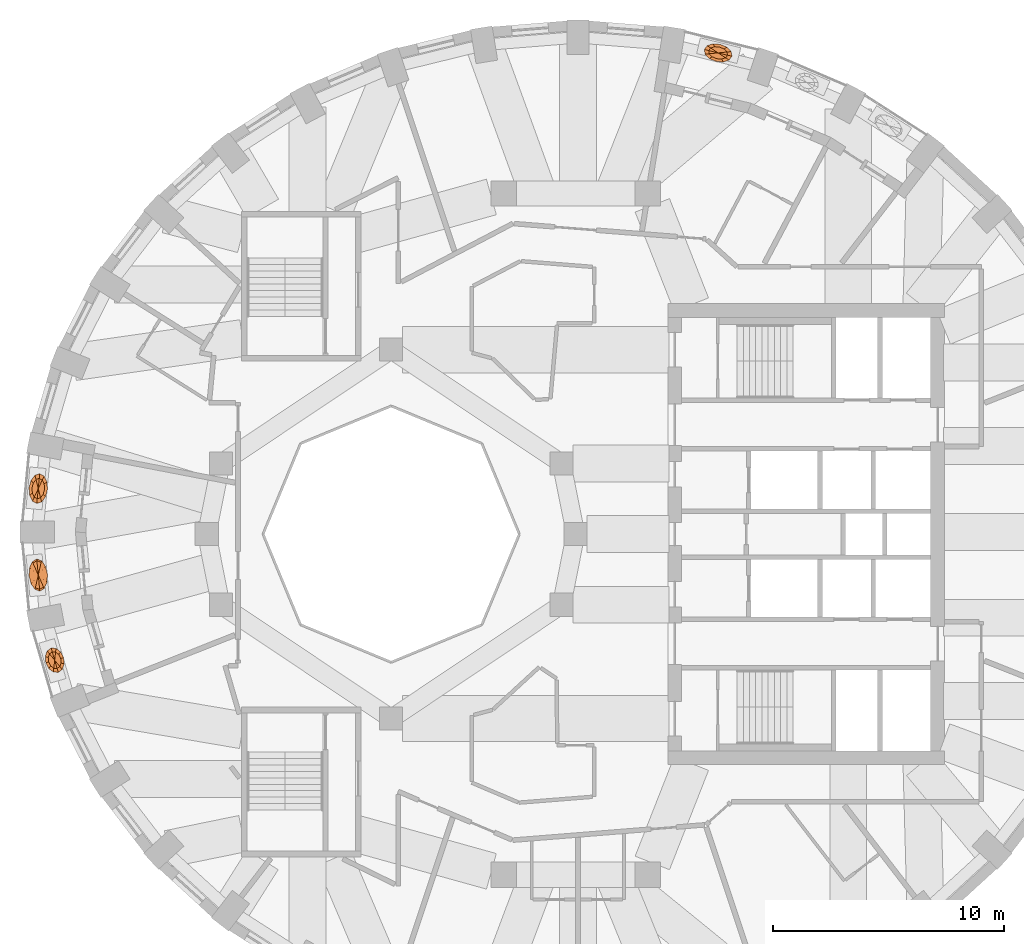
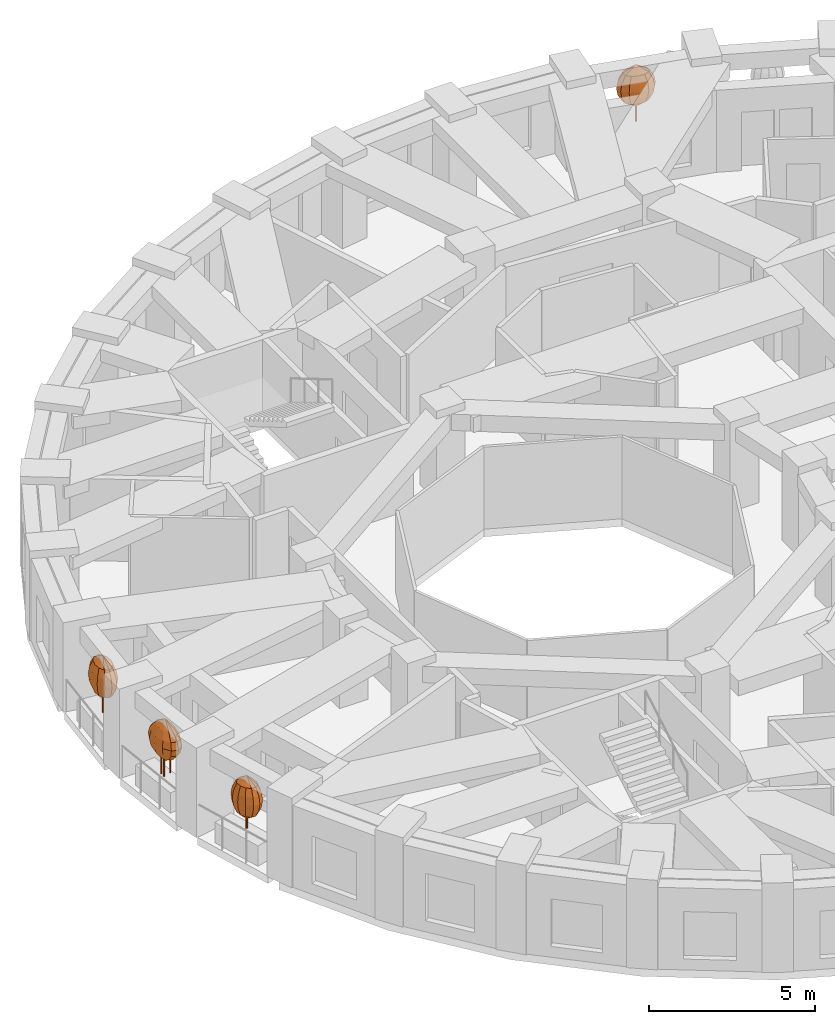
# One storey, part 11 of 12: 4 geographic elements.
"""IFC4 building model written with IfcOpenShell, lengths in metres."""

from ifc_helpers import new_model, si_unit, direction, frame, origin, place, context, subcontext, project, spatial, faceted_brep, material, constituent, constituent_set, type_object, element, save


model = new_model("IFC4")

# Units and contexts
model_context = context("Model", 3, precision=1e-05, world=origin(), true_north=direction((0.0, 1.0)))
body_context = subcontext(model_context, "Body", "Model", "MODEL_VIEW")
ifc_project = project(units=[si_unit("LENGTHUNIT", "METRE"), si_unit("AREAUNIT", "SQUARE_METRE"), si_unit("VOLUMEUNIT", "CUBIC_METRE"), si_unit("PLANEANGLEUNIT", "RADIAN"), si_unit("MASSUNIT", "GRAM", prefix="KILO")], contexts=[model_context])

# Site, building, storey
site_placement = place(None, origin())
site = spatial("IfcSite", under=ifc_project, at=site_placement, CompositionType="ELEMENT")
building_placement = place(site_placement, origin())
building = spatial("IfcBuilding", under=site, at=building_placement, Name="Taillehof Tower", CompositionType="ELEMENT")
storey_placement = place(building_placement, frame((0.0, 0.0, 148.39990234375)))
storey = spatial("IfcBuildingStorey", under=building, at=storey_placement, Name="L41", CompositionType="ELEMENT", Elevation=148.39990234375)

# Geographic elements
ifc_material_1 = material(Name="Tree bark", Category="timber")
ifc_constituent_1 = constituent(ifc_material_1, Name="Trunk", Category="timber")
ifc_material_2 = material(Name="Tree foliage")
ifc_constituent_2 = constituent(ifc_material_2, Name="Crown")
ifc_constituent_set_1 = constituent_set(constituents=[ifc_constituent_1, ifc_constituent_2], Name="Tree TR1 Columnar hornbeam")
geographic_element_type_1 = type_object("IfcGeographicElementType", Name="Tree TR1 Columnar hornbeam", PredefinedType="USERDEFINED", material=ifc_constituent_set_1)
geographic_element_1_placement = place(storey_placement, frame((-23.307861328125, 1.97509765625, 0.75)))
element("IfcGeographicElement", 1, at=geographic_element_1_placement, inside=storey, type_object=geographic_element_type_1, Name="Tree TR1 Columnar hornbeam", ObjectType="TREE", PredefinedType="USERDEFINED", context=body_context, shape_type="Brep", body=[
    faceted_brep([(0.030029296875, 0.0, 0.0), (0.021240234375, 0.021240234375, 0.0), (0.021240234375, 0.021240234375, 1.092529296875), (0.030029296875, 0.0, 1.092529296875), (0.0, 0.030029296875, 0.0), (0.0, 0.030029296875, 1.092529296875), (-0.021240234375, 0.021240234375, 0.0), (-0.021240234375, 0.021240234375, 1.092529296875), (-0.030029296875, 0.0, 0.0), (-0.030029296875, 0.0, 1.092529296875), (-0.021240234375, -0.021240234375, 0.0), (-0.021240234375, -0.021240234375, 1.092529296875), (0.0, -0.030029296875, 0.0), (0.0, -0.030029296875, 1.092529296875), (0.021240234375, -0.021240234375, 0.0), (0.021240234375, -0.021240234375, 1.092529296875)], [[[0, 1, 2, 3]], [[1, 4, 5, 2]], [[4, 6, 7, 5]], [[6, 8, 9, 7]], [[8, 10, 11, 9]], [[10, 12, 13, 11]], [[12, 14, 15, 13]], [[14, 0, 3, 15]], [[14, 12, 10, 8, 6, 4, 1, 0]], [[3, 2, 5, 7, 9, 11, 13, 15]]]),
    faceted_brep([(0.0, 0.0, 0.550048828125), (0.099365234375, -0.395751953125, 0.808349609375), (-0.042236328125, -0.44189453125, 0.808349609375), (0.21435546875, -0.243408203125, 0.808349609375), (0.27197265625, -0.026123046875, 0.808349609375), (0.256591796875, 0.198486328125, 0.808349609375), (0.172607421875, 0.36962890625, 0.808349609375), (0.042236328125, 0.44189453125, 0.808349609375), (-0.099365234375, 0.395751953125, 0.808349609375), (-0.21435546875, 0.243408203125, 0.808349609375), (-0.27197265625, 0.026123046875, 0.808349609375), (-0.256591796875, -0.198486328125, 0.808349609375), (-0.172607421875, -0.36962890625, 0.808349609375), (0.134521484375, -0.535400390625, 1.066650390625), (-0.05712890625, -0.597900390625, 1.066650390625), (0.2900390625, -0.329345703125, 1.066650390625), (0.367919921875, -0.03515625, 1.066650390625), (0.34716796875, 0.2685546875, 1.066650390625), (0.2333984375, 0.500244140625, 1.066650390625), (0.05712890625, 0.597900390625, 1.066650390625), (-0.134521484375, 0.535400390625, 1.066650390625), (-0.2900390625, 0.329345703125, 1.066650390625), (-0.367919921875, 0.03515625, 1.066650390625), (-0.34716796875, -0.2685546875, 1.066650390625), (-0.2333984375, -0.500244140625, 1.066650390625), (0.1455078125, -0.579345703125, 1.324951171875), (-0.061767578125, -0.64697265625, 1.324951171875), (0.31396484375, -0.3564453125, 1.324951171875), (0.398193359375, -0.0380859375, 1.324951171875), (0.375732421875, 0.29052734375, 1.324951171875), (0.252685546875, 0.541259765625, 1.324951171875), (0.061767578125, 0.64697265625, 1.324951171875), (-0.1455078125, 0.579345703125, 1.324951171875), (-0.31396484375, 0.3564453125, 1.324951171875), (-0.398193359375, 0.0380859375, 1.324951171875), (-0.375732421875, -0.29052734375, 1.324951171875), (-0.252685546875, -0.541259765625, 1.324951171875), (0.134521484375, -0.535400390625, 1.583251953125), (-0.05712890625, -0.597900390625, 1.583251953125), (0.2900390625, -0.329345703125, 1.583251953125), (0.367919921875, -0.03515625, 1.583251953125), (0.34716796875, 0.2685546875, 1.583251953125), (0.2333984375, 0.500244140625, 1.583251953125), (0.05712890625, 0.597900390625, 1.583251953125), (-0.134521484375, 0.535400390625, 1.583251953125), (-0.2900390625, 0.329345703125, 1.583251953125), (-0.367919921875, 0.03515625, 1.583251953125), (-0.34716796875, -0.2685546875, 1.583251953125), (-0.2333984375, -0.500244140625, 1.583251953125), (0.099365234375, -0.395751953125, 1.841552734375), (-0.042236328125, -0.44189453125, 1.841552734375), (0.21435546875, -0.243408203125, 1.841552734375), (0.27197265625, -0.026123046875, 1.841552734375), (0.256591796875, 0.198486328125, 1.841552734375), (0.172607421875, 0.36962890625, 1.841552734375), (0.042236328125, 0.44189453125, 1.841552734375), (-0.099365234375, 0.395751953125, 1.841552734375), (-0.21435546875, 0.243408203125, 1.841552734375), (-0.27197265625, 0.026123046875, 1.841552734375), (-0.256591796875, -0.198486328125, 1.841552734375), (-0.172607421875, -0.36962890625, 1.841552734375), (0.0, 0.0, 2.10009765625)], [[[0, 1, 2]], [[0, 3, 1]], [[0, 4, 3]], [[0, 5, 4]], [[0, 6, 5]], [[0, 7, 6]], [[0, 8, 7]], [[0, 9, 8]], [[0, 10, 9]], [[0, 11, 10]], [[0, 12, 11]], [[0, 2, 12]], [[2, 1, 13, 14]], [[1, 3, 15, 13]], [[3, 4, 16, 15]], [[4, 5, 17, 16]], [[5, 6, 18, 17]], [[6, 7, 19, 18]], [[7, 8, 20, 19]], [[8, 9, 21, 20]], [[9, 10, 22, 21]], [[10, 11, 23, 22]], [[11, 12, 24, 23]], [[12, 2, 14, 24]], [[14, 13, 25, 26]], [[13, 15, 27, 25]], [[15, 16, 28, 27]], [[16, 17, 29, 28]], [[17, 18, 30, 29]], [[18, 19, 31, 30]], [[19, 20, 32, 31]], [[20, 21, 33, 32]], [[21, 22, 34, 33]], [[22, 23, 35, 34]], [[23, 24, 36, 35]], [[24, 14, 26, 36]], [[26, 25, 37, 38]], [[25, 27, 39, 37]], [[27, 28, 40, 39]], [[28, 29, 41, 40]], [[29, 30, 42, 41]], [[30, 31, 43, 42]], [[31, 32, 44, 43]], [[32, 33, 45, 44]], [[33, 34, 46, 45]], [[34, 35, 47, 46]], [[35, 36, 48, 47]], [[36, 26, 38, 48]], [[38, 37, 49, 50]], [[37, 39, 51, 49]], [[39, 40, 52, 51]], [[40, 41, 53, 52]], [[41, 42, 54, 53]], [[42, 43, 55, 54]], [[43, 44, 56, 55]], [[44, 45, 57, 56]], [[45, 46, 58, 57]], [[46, 47, 59, 58]], [[47, 48, 60, 59]], [[48, 38, 50, 60]], [[50, 49, 61]], [[49, 51, 61]], [[51, 52, 61]], [[52, 53, 61]], [[53, 54, 61]], [[54, 55, 61]], [[55, 56, 61]], [[56, 57, 61]], [[57, 58, 61]], [[58, 59, 61]], [[59, 60, 61]], [[60, 50, 61]]]),
])
geographic_element_2_placement = place(storey_placement, frame((6.179443359375, 20.873779296875, 0.75)))
element("IfcGeographicElement", 2, at=geographic_element_2_placement, inside=storey, type_object=geographic_element_type_1, Name="Tree TR1 Columnar hornbeam", ObjectType="TREE", PredefinedType="USERDEFINED", context=body_context, shape_type="Brep", body=[
    faceted_brep([(0.030029296875, 0.0, 0.0), (0.021240234375, 0.021240234375, 0.0), (0.021240234375, 0.021240234375, 1.092529296875), (0.030029296875, 0.0, 1.092529296875), (0.0, 0.030029296875, 0.0), (0.0, 0.030029296875, 1.092529296875), (-0.021240234375, 0.021240234375, 0.0), (-0.021240234375, 0.021240234375, 1.092529296875), (-0.030029296875, 0.0, 0.0), (-0.030029296875, 0.0, 1.092529296875), (-0.021240234375, -0.021240234375, 0.0), (-0.021240234375, -0.021240234375, 1.092529296875), (0.0, -0.030029296875, 0.0), (0.0, -0.030029296875, 1.092529296875), (0.021240234375, -0.021240234375, 0.0), (0.021240234375, -0.021240234375, 1.092529296875)], [[[0, 1, 2, 3]], [[1, 4, 5, 2]], [[4, 6, 7, 5]], [[6, 8, 9, 7]], [[8, 10, 11, 9]], [[10, 12, 13, 11]], [[12, 14, 15, 13]], [[14, 0, 3, 15]], [[14, 12, 10, 8, 6, 4, 1, 0]], [[3, 2, 5, 7, 9, 11, 13, 15]]]),
    faceted_brep([(0.0, 0.0, 0.550048828125), (-0.3857421875, -0.0390625, 0.808349609375), (-0.40966796875, 0.100341796875, 0.808349609375), (-0.25830078125, -0.168212890625, 0.808349609375), (-0.061767578125, -0.252197265625, 0.808349609375), (0.1513671875, -0.2685546875, 0.808349609375), (0.323974609375, -0.212890625, 0.808349609375), (0.40966796875, -0.100341796875, 0.808349609375), (0.3857421875, 0.0390625, 0.808349609375), (0.25830078125, 0.168212890625, 0.808349609375), (0.061767578125, 0.252197265625, 0.808349609375), (-0.1513671875, 0.2685546875, 0.808349609375), (-0.323974609375, 0.212890625, 0.808349609375), (-0.521728515625, -0.052978515625, 1.066650390625), (-0.55419921875, 0.1357421875, 1.066650390625), (-0.349365234375, -0.227294921875, 1.066650390625), (-0.08349609375, -0.341064453125, 1.066650390625), (0.20458984375, -0.36328125, 1.066650390625), (0.43798828125, -0.2880859375, 1.066650390625), (0.55419921875, -0.1357421875, 1.066650390625), (0.521728515625, 0.052978515625, 1.066650390625), (0.349365234375, 0.227294921875, 1.066650390625), (0.08349609375, 0.341064453125, 1.066650390625), (-0.20458984375, 0.36328125, 1.066650390625), (-0.43798828125, 0.2880859375, 1.066650390625), (-0.564697265625, -0.05712890625, 1.324951171875), (-0.599853515625, 0.14697265625, 1.324951171875), (-0.378173828125, -0.24609375, 1.324951171875), (-0.090576171875, -0.369140625, 1.324951171875), (0.221435546875, -0.39306640625, 1.324951171875), (0.47412109375, -0.311767578125, 1.324951171875), (0.599853515625, -0.14697265625, 1.324951171875), (0.564697265625, 0.05712890625, 1.324951171875), (0.378173828125, 0.24609375, 1.324951171875), (0.090576171875, 0.369140625, 1.324951171875), (-0.221435546875, 0.39306640625, 1.324951171875), (-0.47412109375, 0.311767578125, 1.324951171875), (-0.521728515625, -0.052978515625, 1.583251953125), (-0.55419921875, 0.1357421875, 1.583251953125), (-0.349365234375, -0.227294921875, 1.583251953125), (-0.08349609375, -0.341064453125, 1.583251953125), (0.20458984375, -0.36328125, 1.583251953125), (0.43798828125, -0.2880859375, 1.583251953125), (0.55419921875, -0.1357421875, 1.583251953125), (0.521728515625, 0.052978515625, 1.583251953125), (0.349365234375, 0.227294921875, 1.583251953125), (0.08349609375, 0.341064453125, 1.583251953125), (-0.20458984375, 0.36328125, 1.583251953125), (-0.43798828125, 0.2880859375, 1.583251953125), (-0.3857421875, -0.0390625, 1.841552734375), (-0.40966796875, 0.100341796875, 1.841552734375), (-0.25830078125, -0.168212890625, 1.841552734375), (-0.061767578125, -0.252197265625, 1.841552734375), (0.1513671875, -0.2685546875, 1.841552734375), (0.323974609375, -0.212890625, 1.841552734375), (0.40966796875, -0.100341796875, 1.841552734375), (0.3857421875, 0.0390625, 1.841552734375), (0.25830078125, 0.168212890625, 1.841552734375), (0.061767578125, 0.252197265625, 1.841552734375), (-0.1513671875, 0.2685546875, 1.841552734375), (-0.323974609375, 0.212890625, 1.841552734375), (0.0, 0.0, 2.10009765625)], [[[0, 1, 2]], [[0, 3, 1]], [[0, 4, 3]], [[0, 5, 4]], [[0, 6, 5]], [[0, 7, 6]], [[0, 8, 7]], [[0, 9, 8]], [[0, 10, 9]], [[0, 11, 10]], [[0, 12, 11]], [[0, 2, 12]], [[2, 1, 13, 14]], [[1, 3, 15, 13]], [[3, 4, 16, 15]], [[4, 5, 17, 16]], [[5, 6, 18, 17]], [[6, 7, 19, 18]], [[7, 8, 20, 19]], [[8, 9, 21, 20]], [[9, 10, 22, 21]], [[10, 11, 23, 22]], [[11, 12, 24, 23]], [[12, 2, 14, 24]], [[14, 13, 25, 26]], [[13, 15, 27, 25]], [[15, 16, 28, 27]], [[16, 17, 29, 28]], [[17, 18, 30, 29]], [[18, 19, 31, 30]], [[19, 20, 32, 31]], [[20, 21, 33, 32]], [[21, 22, 34, 33]], [[22, 23, 35, 34]], [[23, 24, 36, 35]], [[24, 14, 26, 36]], [[26, 25, 37, 38]], [[25, 27, 39, 37]], [[27, 28, 40, 39]], [[28, 29, 41, 40]], [[29, 30, 42, 41]], [[30, 31, 43, 42]], [[31, 32, 44, 43]], [[32, 33, 45, 44]], [[33, 34, 46, 45]], [[34, 35, 47, 46]], [[35, 36, 48, 47]], [[36, 26, 38, 48]], [[38, 37, 49, 50]], [[37, 39, 51, 49]], [[39, 40, 52, 51]], [[40, 41, 53, 52]], [[41, 42, 54, 53]], [[42, 43, 55, 54]], [[43, 44, 56, 55]], [[44, 45, 57, 56]], [[45, 46, 58, 57]], [[46, 47, 59, 58]], [[47, 48, 60, 59]], [[48, 38, 50, 60]], [[50, 49, 61]], [[49, 51, 61]], [[51, 52, 61]], [[52, 53, 61]], [[53, 54, 61]], [[54, 55, 61]], [[55, 56, 61]], [[56, 57, 61]], [[57, 58, 61]], [[58, 59, 61]], [[59, 60, 61]], [[60, 50, 61]]]),
])
ifc_material_3 = material(Name="Tree bark", Category="timber")
ifc_constituent_3 = constituent(ifc_material_3, Name="Trunk", Category="timber")
ifc_material_4 = material(Name="Tree foliage")
ifc_constituent_4 = constituent(ifc_material_4, Name="Crown")
ifc_constituent_set_2 = constituent_set(constituents=[ifc_constituent_3, ifc_constituent_4], Name="Tree TR2 Fastigiate yew")
geographic_element_type_2 = type_object("IfcGeographicElementType", Name="Tree TR2 Fastigiate yew", PredefinedType="USERDEFINED", material=ifc_constituent_set_2)
geographic_element_3_placement = place(storey_placement, frame((-22.59619140625, -5.46826171875, 0.75)))
element("IfcGeographicElement", 3, at=geographic_element_3_placement, inside=storey, type_object=geographic_element_type_2, Name="Tree TR2 Fastigiate yew", ObjectType="TREE", PredefinedType="USERDEFINED", context=body_context, shape_type="Brep", body=[
    faceted_brep([(0.034912109375, 0.0, 0.0), (0.024658203125, 0.024658203125, 0.0), (0.024658203125, 0.024658203125, 0.909912109375), (0.034912109375, 0.0, 0.909912109375), (0.0, 0.034912109375, 0.0), (0.0, 0.034912109375, 0.909912109375), (-0.024658203125, 0.024658203125, 0.0), (-0.024658203125, 0.024658203125, 0.909912109375), (-0.034912109375, 0.0, 0.0), (-0.034912109375, 0.0, 0.909912109375), (-0.024658203125, -0.024658203125, 0.0), (-0.024658203125, -0.024658203125, 0.909912109375), (0.0, -0.034912109375, 0.0), (0.0, -0.034912109375, 0.909912109375), (0.024658203125, -0.024658203125, 0.0), (0.024658203125, -0.024658203125, 0.909912109375)], [[[0, 1, 2, 3]], [[1, 4, 5, 2]], [[4, 6, 7, 5]], [[6, 8, 9, 7]], [[8, 10, 11, 9]], [[10, 12, 13, 11]], [[12, 14, 15, 13]], [[14, 0, 3, 15]], [[14, 12, 10, 8, 6, 4, 1, 0]], [[3, 2, 5, 7, 9, 11, 13, 15]]]),
    faceted_brep([(0.0, 0.0, 0.35009765625), (0.22265625, -0.27392578125, 0.61669921875), (0.105712890625, -0.360595703125, 0.61669921875), (0.27978515625, -0.11376953125, 0.61669921875), (0.26220703125, 0.076904296875, 0.61669921875), (0.17431640625, 0.246826171875, 0.61669921875), (0.03955078125, 0.3505859375, 0.61669921875), (-0.105712890625, 0.360595703125, 0.61669921875), (-0.22265625, 0.27392578125, 0.61669921875), (-0.27978515625, 0.11376953125, 0.61669921875), (-0.26220703125, -0.076904296875, 0.61669921875), (-0.17431640625, -0.246826171875, 0.61669921875), (-0.03955078125, -0.3505859375, 0.61669921875), (0.301025390625, -0.370361328125, 0.88330078125), (0.142822265625, -0.48779296875, 0.88330078125), (0.378662109375, -0.15380859375, 0.88330078125), (0.354736328125, 0.10400390625, 0.88330078125), (0.23583984375, 0.333740234375, 0.88330078125), (0.0537109375, 0.474365234375, 0.88330078125), (-0.142822265625, 0.48779296875, 0.88330078125), (-0.301025390625, 0.370361328125, 0.88330078125), (-0.378662109375, 0.15380859375, 0.88330078125), (-0.354736328125, -0.10400390625, 0.88330078125), (-0.23583984375, -0.333740234375, 0.88330078125), (-0.0537109375, -0.474365234375, 0.88330078125), (0.325927734375, -0.40087890625, 1.14990234375), (0.154541015625, -0.52783203125, 1.14990234375), (0.40966796875, -0.16650390625, 1.14990234375), (0.3837890625, 0.112548828125, 1.14990234375), (0.255126953125, 0.361328125, 1.14990234375), (0.05810546875, 0.513427734375, 1.14990234375), (-0.154541015625, 0.52783203125, 1.14990234375), (-0.325927734375, 0.40087890625, 1.14990234375), (-0.40966796875, 0.16650390625, 1.14990234375), (-0.3837890625, -0.112548828125, 1.14990234375), (-0.255126953125, -0.361328125, 1.14990234375), (-0.05810546875, -0.513427734375, 1.14990234375), (0.301025390625, -0.370361328125, 1.416748046875), (0.142822265625, -0.48779296875, 1.416748046875), (0.378662109375, -0.15380859375, 1.416748046875), (0.354736328125, 0.10400390625, 1.416748046875), (0.23583984375, 0.333740234375, 1.416748046875), (0.0537109375, 0.474365234375, 1.416748046875), (-0.142822265625, 0.48779296875, 1.416748046875), (-0.301025390625, 0.370361328125, 1.416748046875), (-0.378662109375, 0.15380859375, 1.416748046875), (-0.354736328125, -0.10400390625, 1.416748046875), (-0.23583984375, -0.333740234375, 1.416748046875), (-0.0537109375, -0.474365234375, 1.416748046875), (0.22265625, -0.27392578125, 1.683349609375), (0.105712890625, -0.360595703125, 1.683349609375), (0.27978515625, -0.11376953125, 1.683349609375), (0.26220703125, 0.076904296875, 1.683349609375), (0.17431640625, 0.246826171875, 1.683349609375), (0.03955078125, 0.3505859375, 1.683349609375), (-0.105712890625, 0.360595703125, 1.683349609375), (-0.22265625, 0.27392578125, 1.683349609375), (-0.27978515625, 0.11376953125, 1.683349609375), (-0.26220703125, -0.076904296875, 1.683349609375), (-0.17431640625, -0.246826171875, 1.683349609375), (-0.03955078125, -0.3505859375, 1.683349609375), (0.0, 0.0, 1.949951171875)], [[[0, 1, 2]], [[0, 3, 1]], [[0, 4, 3]], [[0, 5, 4]], [[0, 6, 5]], [[0, 7, 6]], [[0, 8, 7]], [[0, 9, 8]], [[0, 10, 9]], [[0, 11, 10]], [[0, 12, 11]], [[0, 2, 12]], [[2, 1, 13, 14]], [[1, 3, 15, 13]], [[3, 4, 16, 15]], [[4, 5, 17, 16]], [[5, 6, 18, 17]], [[6, 7, 19, 18]], [[7, 8, 20, 19]], [[8, 9, 21, 20]], [[9, 10, 22, 21]], [[10, 11, 23, 22]], [[11, 12, 24, 23]], [[12, 2, 14, 24]], [[14, 13, 25, 26]], [[13, 15, 27, 25]], [[15, 16, 28, 27]], [[16, 17, 29, 28]], [[17, 18, 30, 29]], [[18, 19, 31, 30]], [[19, 20, 32, 31]], [[20, 21, 33, 32]], [[21, 22, 34, 33]], [[22, 23, 35, 34]], [[23, 24, 36, 35]], [[24, 14, 26, 36]], [[26, 25, 37, 38]], [[25, 27, 39, 37]], [[27, 28, 40, 39]], [[28, 29, 41, 40]], [[29, 30, 42, 41]], [[30, 31, 43, 42]], [[31, 32, 44, 43]], [[32, 33, 45, 44]], [[33, 34, 46, 45]], [[34, 35, 47, 46]], [[35, 36, 48, 47]], [[36, 26, 38, 48]], [[38, 37, 49, 50]], [[37, 39, 51, 49]], [[39, 40, 52, 51]], [[40, 41, 53, 52]], [[41, 42, 54, 53]], [[42, 43, 55, 54]], [[43, 44, 56, 55]], [[44, 45, 57, 56]], [[45, 46, 58, 57]], [[46, 47, 59, 58]], [[47, 48, 60, 59]], [[48, 38, 50, 60]], [[50, 49, 61]], [[49, 51, 61]], [[51, 52, 61]], [[52, 53, 61]], [[53, 54, 61]], [[54, 55, 61]], [[55, 56, 61]], [[56, 57, 61]], [[57, 58, 61]], [[58, 59, 61]], [[59, 60, 61]], [[60, 50, 61]]]),
])
ifc_material_5 = material(Name="Tree bark", Category="timber")
ifc_constituent_5 = constituent(ifc_material_5, Name="Trunk", Category="timber")
ifc_material_6 = material(Name="Tree foliage")
ifc_constituent_6 = constituent(ifc_material_6, Name="Crown")
ifc_constituent_set_3 = constituent_set(constituents=[ifc_constituent_5, ifc_constituent_6], Name="Tree TR3 Multi-stem serviceberry")
geographic_element_type_3 = type_object("IfcGeographicElementType", Name="Tree TR3 Multi-stem serviceberry", PredefinedType="USERDEFINED", material=ifc_constituent_set_3)
geographic_element_4_placement = place(storey_placement, frame((-23.307861328125, -1.775146484375, 0.75)))
element("IfcGeographicElement", 4, at=geographic_element_4_placement, inside=storey, type_object=geographic_element_type_3, Name="Tree TR3 Multi-stem serviceberry", ObjectType="TREE", PredefinedType="USERDEFINED", context=body_context, shape_type="Brep", body=[
    faceted_brep([(0.203857421875, 0.0, 0.0), (0.1953125, 0.0205078125, 0.0), (0.1953125, 0.0205078125, 1.04248046875), (0.203857421875, 0.0, 1.04248046875), (0.175048828125, 0.02880859375, 0.0), (0.175048828125, 0.02880859375, 1.04248046875), (0.154541015625, 0.0205078125, 0.0), (0.154541015625, 0.0205078125, 1.04248046875), (0.146240234375, 0.0, 0.0), (0.146240234375, 0.0, 1.04248046875), (0.154541015625, -0.0205078125, 0.0), (0.154541015625, -0.0205078125, 1.04248046875), (0.175048828125, -0.02880859375, 0.0), (0.175048828125, -0.02880859375, 1.04248046875), (0.1953125, -0.0205078125, 0.0), (0.1953125, -0.0205078125, 1.04248046875)], [[[0, 1, 2, 3]], [[1, 4, 5, 2]], [[4, 6, 7, 5]], [[6, 8, 9, 7]], [[8, 10, 11, 9]], [[10, 12, 13, 11]], [[12, 14, 15, 13]], [[14, 0, 3, 15]], [[14, 12, 10, 8, 6, 4, 1, 0]], [[3, 2, 5, 7, 9, 11, 13, 15]]]),
    faceted_brep([(-0.05859375, 0.086669921875, 0.0), (-0.067138671875, 0.10693359375, 0.0), (-0.067138671875, 0.10693359375, 1.04248046875), (-0.05859375, 0.086669921875, 1.04248046875), (-0.08740234375, 0.115478515625, 0.0), (-0.08740234375, 0.115478515625, 1.04248046875), (-0.10791015625, 0.10693359375, 0.0), (-0.10791015625, 0.10693359375, 1.04248046875), (-0.116455078125, 0.086669921875, 0.0), (-0.116455078125, 0.086669921875, 1.04248046875), (-0.10791015625, 0.066162109375, 0.0), (-0.10791015625, 0.066162109375, 1.04248046875), (-0.08740234375, 0.0576171875, 0.0), (-0.08740234375, 0.0576171875, 1.04248046875), (-0.067138671875, 0.066162109375, 0.0), (-0.067138671875, 0.066162109375, 1.04248046875)], [[[0, 1, 2, 3]], [[1, 4, 5, 2]], [[4, 6, 7, 5]], [[6, 8, 9, 7]], [[8, 10, 11, 9]], [[10, 12, 13, 11]], [[12, 14, 15, 13]], [[14, 0, 3, 15]], [[14, 12, 10, 8, 6, 4, 1, 0]], [[3, 2, 5, 7, 9, 11, 13, 15]]]),
    faceted_brep([(-0.05859375, -0.086669921875, 0.0), (-0.067138671875, -0.066162109375, 0.0), (-0.067138671875, -0.066162109375, 1.04248046875), (-0.05859375, -0.086669921875, 1.04248046875), (-0.08740234375, -0.0576171875, 0.0), (-0.08740234375, -0.0576171875, 1.04248046875), (-0.10791015625, -0.066162109375, 0.0), (-0.10791015625, -0.066162109375, 1.04248046875), (-0.116455078125, -0.086669921875, 0.0), (-0.116455078125, -0.086669921875, 1.04248046875), (-0.10791015625, -0.10693359375, 0.0), (-0.10791015625, -0.10693359375, 1.04248046875), (-0.08740234375, -0.115478515625, 0.0), (-0.08740234375, -0.115478515625, 1.04248046875), (-0.067138671875, -0.10693359375, 0.0), (-0.067138671875, -0.10693359375, 1.04248046875)], [[[0, 1, 2, 3]], [[1, 4, 5, 2]], [[4, 6, 7, 5]], [[6, 8, 9, 7]], [[8, 10, 11, 9]], [[10, 12, 13, 11]], [[12, 14, 15, 13]], [[14, 0, 3, 15]], [[14, 12, 10, 8, 6, 4, 1, 0]], [[3, 2, 5, 7, 9, 11, 13, 15]]]),
    faceted_brep([(0.0, 0.0, 0.5), (0.1474609375, -0.335693359375, 0.75830078125), (0.038330078125, -0.400146484375, 0.75830078125), (0.21728515625, -0.18115234375, 0.75830078125), (0.228759765625, 0.02197265625, 0.75830078125), (0.178955078125, 0.218994140625, 0.75830078125), (0.081298828125, 0.357421875, 0.75830078125), (-0.038330078125, 0.400146484375, 0.75830078125), (-0.1474609375, 0.335693359375, 0.75830078125), (-0.21728515625, 0.18115234375, 0.75830078125), (-0.228759765625, -0.02197265625, 0.75830078125), (-0.178955078125, -0.218994140625, 0.75830078125), (-0.081298828125, -0.357421875, 0.75830078125), (0.22900390625, -0.52099609375, 1.0166015625), (0.059326171875, -0.62109375, 1.0166015625), (0.337158203125, -0.28125, 1.0166015625), (0.35498046875, 0.033935546875, 1.0166015625), (0.277587890625, 0.33984375, 1.0166015625), (0.1259765625, 0.554931640625, 1.0166015625), (-0.059326171875, 0.62109375, 1.0166015625), (-0.22900390625, 0.52099609375, 1.0166015625), (-0.337158203125, 0.28125, 1.0166015625), (-0.35498046875, -0.033935546875, 1.0166015625), (-0.277587890625, -0.33984375, 1.0166015625), (-0.1259765625, -0.554931640625, 1.0166015625), (0.2568359375, -0.58447265625, 1.27490234375), (0.066650390625, -0.69677734375, 1.27490234375), (0.378173828125, -0.3154296875, 1.27490234375), (0.398193359375, 0.0380859375, 1.27490234375), (0.3115234375, 0.38134765625, 1.27490234375), (0.141357421875, 0.62255859375, 1.27490234375), (-0.066650390625, 0.69677734375, 1.27490234375), (-0.2568359375, 0.58447265625, 1.27490234375), (-0.378173828125, 0.3154296875, 1.27490234375), (-0.398193359375, -0.0380859375, 1.27490234375), (-0.3115234375, -0.38134765625, 1.27490234375), (-0.141357421875, -0.62255859375, 1.27490234375), (0.22900390625, -0.52099609375, 1.533447265625), (0.059326171875, -0.62109375, 1.533447265625), (0.337158203125, -0.28125, 1.533447265625), (0.35498046875, 0.033935546875, 1.533447265625), (0.277587890625, 0.33984375, 1.533447265625), (0.1259765625, 0.554931640625, 1.533447265625), (-0.059326171875, 0.62109375, 1.533447265625), (-0.22900390625, 0.52099609375, 1.533447265625), (-0.337158203125, 0.28125, 1.533447265625), (-0.35498046875, -0.033935546875, 1.533447265625), (-0.277587890625, -0.33984375, 1.533447265625), (-0.1259765625, -0.554931640625, 1.533447265625), (0.1474609375, -0.335693359375, 1.791748046875), (0.038330078125, -0.400146484375, 1.791748046875), (0.21728515625, -0.18115234375, 1.791748046875), (0.228759765625, 0.02197265625, 1.791748046875), (0.178955078125, 0.218994140625, 1.791748046875), (0.081298828125, 0.357421875, 1.791748046875), (-0.038330078125, 0.400146484375, 1.791748046875), (-0.1474609375, 0.335693359375, 1.791748046875), (-0.21728515625, 0.18115234375, 1.791748046875), (-0.228759765625, -0.02197265625, 1.791748046875), (-0.178955078125, -0.218994140625, 1.791748046875), (-0.081298828125, -0.357421875, 1.791748046875), (0.0, 0.0, 2.050048828125)], [[[0, 1, 2]], [[0, 3, 1]], [[0, 4, 3]], [[0, 5, 4]], [[0, 6, 5]], [[0, 7, 6]], [[0, 8, 7]], [[0, 9, 8]], [[0, 10, 9]], [[0, 11, 10]], [[0, 12, 11]], [[0, 2, 12]], [[2, 1, 13, 14]], [[1, 3, 15, 13]], [[3, 4, 16, 15]], [[4, 5, 17, 16]], [[5, 6, 18, 17]], [[6, 7, 19, 18]], [[7, 8, 20, 19]], [[8, 9, 21, 20]], [[9, 10, 22, 21]], [[10, 11, 23, 22]], [[11, 12, 24, 23]], [[12, 2, 14, 24]], [[14, 13, 25, 26]], [[13, 15, 27, 25]], [[15, 16, 28, 27]], [[16, 17, 29, 28]], [[17, 18, 30, 29]], [[18, 19, 31, 30]], [[19, 20, 32, 31]], [[20, 21, 33, 32]], [[21, 22, 34, 33]], [[22, 23, 35, 34]], [[23, 24, 36, 35]], [[24, 14, 26, 36]], [[26, 25, 37, 38]], [[25, 27, 39, 37]], [[27, 28, 40, 39]], [[28, 29, 41, 40]], [[29, 30, 42, 41]], [[30, 31, 43, 42]], [[31, 32, 44, 43]], [[32, 33, 45, 44]], [[33, 34, 46, 45]], [[34, 35, 47, 46]], [[35, 36, 48, 47]], [[36, 26, 38, 48]], [[38, 37, 49, 50]], [[37, 39, 51, 49]], [[39, 40, 52, 51]], [[40, 41, 53, 52]], [[41, 42, 54, 53]], [[42, 43, 55, 54]], [[43, 44, 56, 55]], [[44, 45, 57, 56]], [[45, 46, 58, 57]], [[46, 47, 59, 58]], [[47, 48, 60, 59]], [[48, 38, 50, 60]], [[50, 49, 61]], [[49, 51, 61]], [[51, 52, 61]], [[52, 53, 61]], [[53, 54, 61]], [[54, 55, 61]], [[55, 56, 61]], [[56, 57, 61]], [[57, 58, 61]], [[58, 59, 61]], [[59, 60, 61]], [[60, 50, 61]]]),
])

save(model, "model.ifc")
